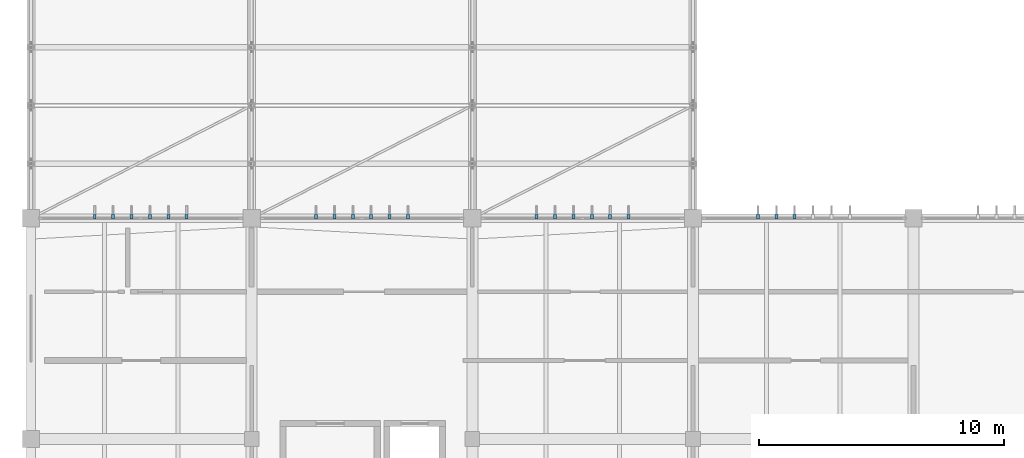
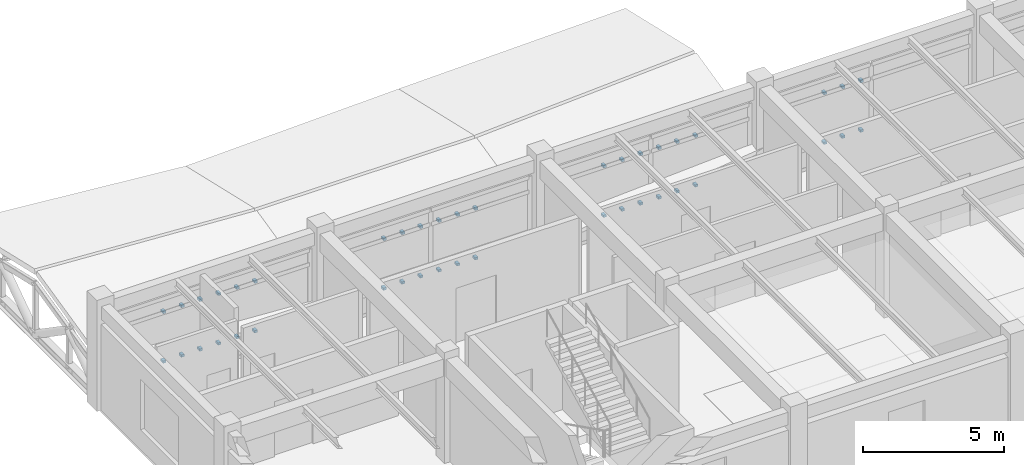
# One storey, part 53 of 61: 42 discrete accessories.
"""IFC4 building model written with IfcOpenShell, lengths in metres."""

import ifcopenshell
import ifcopenshell.guid

model = None  # the IFC model being written
_history = None  # IfcOwnerHistory: only IFC2X3 demands one
_inside = {}  # id of a spatial element -> (the spatial element, [elements in it])
_under = {}  # id of a project, library or spatial element -> (it, [spatial elements below it])
_declared = {}  # id of a project -> (the project, [libraries it declares])
_typed = {}  # id of a type object -> (the type object, [elements of that type])
_made_of = {}  # id of a material, layer set ... -> (it, [elements and type objects made of it])


def new_model(schema):
    """Start an empty IFC model of exactly this schema.

    Asked for "IFC4X3", IfcOpenShell would pick the latest addendum, in which some entities
    have other attributes; the version numbers below select the first issue.
    IFC2X3 requires an IfcOwnerHistory on every rooted entity: one is made here for all.
    """
    global model, _history
    if schema == "IFC4X3":
        model = ifcopenshell.file(schema_version=(4, 3, 0, 0))
    else:
        model = ifcopenshell.file(schema=schema)
    _inside.clear()
    _under.clear()
    _declared.clear()
    _typed.clear()
    _made_of.clear()
    _history = None
    if model.schema == "IFC2X3":
        org = make("IfcOrganization", Name="unknown")
        user = make(
            "IfcPersonAndOrganization",
            ThePerson=make("IfcPerson", FamilyName="unknown"),
            TheOrganization=org,
        )
        app = make(
            "IfcApplication",
            ApplicationDeveloper=org,
            Version="unknown",
            ApplicationFullName="unknown",
            ApplicationIdentifier="unknown",
        )
        _history = make(
            "IfcOwnerHistory",
            OwningUser=user,
            OwningApplication=app,
            ChangeAction="ADDED",
            CreationDate=0,
        )
    return model


def make(cls, **values):
    """One entity of the class cls with the attributes given. An attribute that is None is left unset."""
    return model.create_entity(
        cls, **{name: value for name, value in values.items() if value is not None}
    )


def rooted(cls, **values):
    """An entity with a GlobalId (a new one), such as an element, a storey or a relation."""
    return make(cls, GlobalId=ifcopenshell.guid.new(), OwnerHistory=_history, **values)


def si_unit(unit_type, name, prefix=None):
    """IfcSIUnit, for example si_unit("LENGTHUNIT", "METRE", prefix="MILLI")."""
    return make("IfcSIUnit", UnitType=unit_type, Prefix=prefix, Name=name)


def assignment(units):
    """IfcUnitAssignment: the units of a project."""
    return None if units is None else make("IfcUnitAssignment", Units=units)


def point(xyz):
    """IfcCartesianPoint."""
    return None if xyz is None else make("IfcCartesianPoint", Coordinates=xyz)


def direction(xyz):
    """IfcDirection."""
    return None if xyz is None else make("IfcDirection", DirectionRatios=xyz)


def frame(location, z_axis=None, x_axis=None):
    """IfcAxis2Placement3D, a coordinate frame: its origin and axes. An axis left out is left unset."""
    return make(
        "IfcAxis2Placement3D",
        Location=point(location),
        Axis=direction(z_axis),
        RefDirection=direction(x_axis),
    )


def frame_2d(location, x_axis=None):
    """IfcAxis2Placement2D, a coordinate frame in the plane: its origin and x axis."""
    return make(
        "IfcAxis2Placement2D", Location=point(location), RefDirection=direction(x_axis)
    )


def origin():
    """The frame at (0, 0, 0) with its axes left unset."""
    return frame((0.0, 0.0, 0.0))


def origin_2d():
    """The frame at (0, 0) in the plane with its x axis left unset."""
    return frame_2d((0.0, 0.0))


def place(relative_to, where):
    """IfcLocalPlacement: puts the frame where relative to a parent placement (None: the world)."""
    return make(
        "IfcLocalPlacement", PlacementRelTo=relative_to, RelativePlacement=where
    )


def context(
    kind, dimensions, precision=None, world=None, true_north=None, identifier=None
):
    """IfcGeometricRepresentationContext, for example the 3D "Model" context."""
    return make(
        "IfcGeometricRepresentationContext",
        ContextIdentifier=identifier,
        ContextType=kind,
        CoordinateSpaceDimension=dimensions,
        Precision=precision,
        WorldCoordinateSystem=world,
        TrueNorth=true_north,
    )


def subcontext(parent, identifier, kind, view, scale=None):
    """IfcGeometricRepresentationSubContext, for example "Body" below "Model"."""
    return make(
        "IfcGeometricRepresentationSubContext",
        ContextIdentifier=identifier,
        ContextType=kind,
        ParentContext=parent,
        TargetScale=scale,
        TargetView=view,
    )


def project(units=None, contexts=None):
    """IfcProject with its units and contexts."""
    return rooted(
        "IfcProject",
        Name="project",
        RepresentationContexts=contexts,
        UnitsInContext=assignment(units),
    )


def spatial(cls, under=None, at=None, **own):
    """A site, building, storey or space (cls), placed at a placement, below another one or the project."""
    s = rooted(cls, ObjectPlacement=at, **own)
    if under is not None:
        _under.setdefault(under.id(), (under, []))[1].append(s)
    return s


def profile(cls, at=None, kind="AREA", **sizes):
    """A parametric profile (cls). Its sizes go by their IFC names, for example OverallWidth=200.0."""
    return make(cls, ProfileType=kind, Position=at, **sizes)


def rectangle(**sizes):
    """IfcRectangleProfileDef."""
    return profile("IfcRectangleProfileDef", **sizes)


def extrude(swept, where, along, depth):
    """IfcExtrudedAreaSolid: the profile swept, set in the frame where, extruded along a direction by depth."""
    return make(
        "IfcExtrudedAreaSolid",
        SweptArea=swept,
        Position=where,
        ExtrudedDirection=direction(along),
        Depth=depth,
    )


def shape(context_of_items, identifier, shape_type, items):
    """IfcShapeRepresentation: the items that make up one representation, for example the "Body"."""
    return make(
        "IfcShapeRepresentation",
        ContextOfItems=context_of_items,
        RepresentationIdentifier=identifier,
        RepresentationType=shape_type,
        Items=items,
    )


def material(Name=None, Category=None):
    """IfcMaterial."""
    return make("IfcMaterial", Name=Name, Category=Category)


def made_of(thing, what):
    """Note that an element or type object is made of a material, layer set ...; save() writes the relation."""
    if what is not None:
        _made_of.setdefault(what.id(), (what, []))[1].append(thing)
    return thing


def type_object(cls, material=None, **own):
    """A type object (cls), such as IfcWallType, which elements share."""
    return made_of(rooted(cls, **own), material)


def element(
    cls,
    number,
    at=None,
    inside=None,
    cuts=None,
    type_object=None,
    material=None,
    context=None,
    identifier="Body",
    shape_type=None,
    held_by="IfcProductDefinitionShape",
    body=None,
    shapes=None,
    **own,
):
    """One element of the class cls, such as IfcWall. Its Tag is "e" and its number.

    at: its placement. inside: the storey or other place that contains it. cuts: it is an
    opening in that element (IfcRelVoidsElement). A single representation is given by context,
    identifier, shape_type and body (its items); several are given by shapes. held_by: the class
    of the entity that holds the representations. save() writes the other relations.
    """
    e = rooted(cls, Tag="e%d" % number, ObjectPlacement=at, **own)
    if body is not None:
        shapes = [shape(context, identifier, shape_type, body)]
    if shapes is not None:
        e.Representation = make(held_by, Representations=shapes)
    if inside is not None:
        _inside.setdefault(inside.id(), (inside, []))[1].append(e)
    if cuts is not None:
        rooted(
            "IfcRelVoidsElement", RelatingBuildingElement=cuts, RelatedOpeningElement=e
        )
    if type_object is not None:
        _typed.setdefault(type_object.id(), (type_object, []))[1].append(e)
    return made_of(e, material)


def aggregate(whole, parts):
    """IfcRelAggregates: a whole, such as a stair, and the parts it consists of."""
    return rooted("IfcRelAggregates", RelatingObject=whole, RelatedObjects=parts)


def save(model, path):
    """Write the relations noted so far, then the file.

    IfcRelAggregates (storeys below a building ...), IfcRelContainedInSpatialStructure (elements
    in a storey), IfcRelDefinesByType, IfcRelAssociatesMaterial and IfcRelDeclares: one each for
    every whole, place, type object, material and project.
    """
    for whole, parts in _under.values():
        aggregate(whole, parts)
    for where, things in _inside.values():
        rooted(
            "IfcRelContainedInSpatialStructure",
            RelatedElements=things,
            RelatingStructure=where,
        )
    for kind, things in _typed.values():
        rooted("IfcRelDefinesByType", RelatedObjects=things, RelatingType=kind)
    for what, things in _made_of.values():
        rooted("IfcRelAssociatesMaterial", RelatedObjects=things, RelatingMaterial=what)
    for by, libraries in _declared.values():
        rooted("IfcRelDeclares", RelatingContext=by, RelatedDefinitions=libraries)
    model.write(path)


model = new_model("IFC4")

# Units and contexts
model_context = context("Model", 3, precision=1e-05, world=origin(), true_north=direction((0.0, 1.0)))
body_context = subcontext(model_context, "Body", "Model", "MODEL_VIEW")
ifc_project = project(units=[si_unit("LENGTHUNIT", "METRE"), si_unit("AREAUNIT", "SQUARE_METRE"), si_unit("VOLUMEUNIT", "CUBIC_METRE"), si_unit("PLANEANGLEUNIT", "RADIAN"), si_unit("MASSUNIT", "GRAM", prefix="KILO")], contexts=[model_context])

# Site, building, storey
site_placement = place(None, origin())
site = spatial("IfcSite", under=ifc_project, at=site_placement, CompositionType="ELEMENT")
building_placement = place(site_placement, origin())
building = spatial("IfcBuilding", under=site, at=building_placement, Name="Bozkorgan Art Gallery", CompositionType="ELEMENT")
storey_placement = place(building_placement, frame((0.0, 0.0, 10.199951171875)))
storey = spatial("IfcBuildingStorey", under=building, at=storey_placement, Name="L02", CompositionType="ELEMENT", Elevation=10.199951171875)

# Discrete accessories
ifc_material = material(Name="Steel S355J2", Category="steel")
discrete_accessory_type = type_object("IfcDiscreteAccessoryType", Name="ACC-BRK-01", PredefinedType="BRACKET", material=ifc_material)
for number, where, z_axis, x_axis, name in (
    (1, (4.60009765625, 20.06005859375, 0.8701171875), (0.0, 0.0, 1.0), (0.0, 1.0, 0.0), "CW-V1-L02-1N-02 solar fin bracket 1B"),
    (2, (4.60009765625, 20.06005859375, 3.014892578125), (0.0, 0.0, 1.0), (0.0, 1.0, 0.0), "CW-V1-L02-1N-02 solar fin bracket 1T"),
    (3, (5.35009765625, 20.06005859375, 0.8701171875), (0.0, 0.0, 1.0), (0.0, 1.0, 0.0), "CW-V1-L02-1N-02 solar fin bracket 2B"),
    (4, (5.35009765625, 20.06005859375, 3.014892578125), (0.0, 0.0, 1.0), (0.0, 1.0, 0.0), "CW-V1-L02-1N-02 solar fin bracket 2T"),
    (5, (6.10009765625, 20.06005859375, 0.8701171875), (0.0, 0.0, 1.0), (0.0, 1.0, 0.0), "CW-V1-L02-1N-02 solar fin bracket 3B"),
    (6, (6.10009765625, 20.06005859375, 3.014892578125), (0.0, 0.0, 1.0), (0.0, 1.0, 0.0), "CW-V1-L02-1N-02 solar fin bracket 3T"),
    (7, (6.85009765625, 20.06005859375, 0.8701171875), (0.0, 0.0, 1.0), (0.0, 1.0, 0.0), "CW-V1-L02-1N-02 solar fin bracket 4B"),
    (8, (6.85009765625, 20.06005859375, 3.014892578125), (0.0, 0.0, 1.0), (0.0, 1.0, 0.0), "CW-V1-L02-1N-02 solar fin bracket 4T"),
    (9, (7.60009765625, 20.06005859375, 0.8701171875), (0.0, 0.0, 1.0), (0.0, 1.0, 0.0), "CW-V1-L02-1N-02 solar fin bracket 5B"),
    (10, (7.60009765625, 20.06005859375, 3.014892578125), (0.0, 0.0, 1.0), (0.0, 1.0, 0.0), "CW-V1-L02-1N-02 solar fin bracket 5T"),
    (11, (8.35009765625, 20.06005859375, 0.8701171875), (0.0, 0.0, 1.0), (0.0, 1.0, 0.0), "CW-V1-L02-1N-02 solar fin bracket 6B"),
    (12, (8.35009765625, 20.06005859375, 3.014892578125), (0.0, 0.0, 1.0), (0.0, 1.0, 0.0), "CW-V1-L02-1N-02 solar fin bracket 6T"),
    (13, (13.625, 20.06005859375, 0.8701171875), (0.0, 0.0, 1.0), (0.0, 1.0, 0.0), "CW-V1-L02-1N-04 solar fin bracket 1B"),
    (14, (13.625, 20.06005859375, 3.014892578125), (0.0, 0.0, 1.0), (0.0, 1.0, 0.0), "CW-V1-L02-1N-04 solar fin bracket 1T"),
    (15, (14.375, 20.06005859375, 0.8701171875), (0.0, 0.0, 1.0), (0.0, 1.0, 0.0), "CW-V1-L02-1N-04 solar fin bracket 2B"),
    (16, (14.375, 20.06005859375, 3.014892578125), (0.0, 0.0, 1.0), (0.0, 1.0, 0.0), "CW-V1-L02-1N-04 solar fin bracket 2T"),
    (17, (15.125, 20.06005859375, 0.8701171875), (0.0, 0.0, 1.0), (0.0, 1.0, 0.0), "CW-V1-L02-1N-04 solar fin bracket 3B"),
    (18, (15.125, 20.06005859375, 3.014892578125), (0.0, 0.0, 1.0), (0.0, 1.0, 0.0), "CW-V1-L02-1N-04 solar fin bracket 3T"),
    (19, (15.875, 20.06005859375, 0.8701171875), (0.0, 0.0, 1.0), (0.0, 1.0, 0.0), "CW-V1-L02-1N-04 solar fin bracket 4B"),
    (20, (15.875, 20.06005859375, 3.014892578125), (0.0, 0.0, 1.0), (0.0, 1.0, 0.0), "CW-V1-L02-1N-04 solar fin bracket 4T"),
    (21, (16.625, 20.06005859375, 0.8701171875), (0.0, 0.0, 1.0), (0.0, 1.0, 0.0), "CW-V1-L02-1N-04 solar fin bracket 5B"),
    (22, (16.625, 20.06005859375, 3.014892578125), (0.0, 0.0, 1.0), (0.0, 1.0, 0.0), "CW-V1-L02-1N-04 solar fin bracket 5T"),
    (23, (17.375, 20.06005859375, 0.8701171875), (0.0, 0.0, 1.0), (0.0, 1.0, 0.0), "CW-V1-L02-1N-04 solar fin bracket 6B"),
    (24, (17.375, 20.06005859375, 3.014892578125), (0.0, 0.0, 1.0), (0.0, 1.0, 0.0), "CW-V1-L02-1N-04 solar fin bracket 6T"),
    (25, (22.625, 20.06005859375, 0.8701171875), (0.0, 0.0, 1.0), (0.0, 1.0, 0.0), "CW-V1-L02-1N-06 solar fin bracket 1B"),
    (26, (22.625, 20.06005859375, 3.014892578125), (0.0, 0.0, 1.0), (0.0, 1.0, 0.0), "CW-V1-L02-1N-06 solar fin bracket 1T"),
    (27, (23.375, 20.06005859375, 0.8701171875), (0.0, 0.0, 1.0), (0.0, 1.0, 0.0), "CW-V1-L02-1N-06 solar fin bracket 2B"),
    (28, (23.375, 20.06005859375, 3.014892578125), (0.0, 0.0, 1.0), (0.0, 1.0, 0.0), "CW-V1-L02-1N-06 solar fin bracket 2T"),
    (29, (24.125, 20.06005859375, 0.8701171875), (0.0, 0.0, 1.0), (0.0, 1.0, 0.0), "CW-V1-L02-1N-06 solar fin bracket 3B"),
    (30, (24.125, 20.06005859375, 3.014892578125), (0.0, 0.0, 1.0), (0.0, 1.0, 0.0), "CW-V1-L02-1N-06 solar fin bracket 3T"),
    (31, (24.875, 20.06005859375, 0.8701171875), (0.0, 0.0, 1.0), (0.0, 1.0, 0.0), "CW-V1-L02-1N-06 solar fin bracket 4B"),
    (32, (24.875, 20.06005859375, 3.014892578125), (0.0, 0.0, 1.0), (0.0, 1.0, 0.0), "CW-V1-L02-1N-06 solar fin bracket 4T"),
    (33, (25.625, 20.06005859375, 0.8701171875), (0.0, 0.0, 1.0), (0.0, 1.0, 0.0), "CW-V1-L02-1N-06 solar fin bracket 5B"),
    (34, (25.625, 20.06005859375, 3.014892578125), (0.0, 0.0, 1.0), (0.0, 1.0, 0.0), "CW-V1-L02-1N-06 solar fin bracket 5T"),
    (35, (26.375, 20.06005859375, 0.8701171875), (0.0, 0.0, 1.0), (0.0, 1.0, 0.0), "CW-V1-L02-1N-06 solar fin bracket 6B"),
    (36, (26.375, 20.06005859375, 3.014892578125), (0.0, 0.0, 1.0), (0.0, 1.0, 0.0), "CW-V1-L02-1N-06 solar fin bracket 6T"),
    (37, (31.64990234375, 20.06005859375, 0.8701171875), (0.0, 0.0, 1.0), (0.0, 1.0, 0.0), "CW-V1-L02-1N-08 solar fin bracket 1B"),
    (38, (31.64990234375, 20.06005859375, 3.014892578125), (0.0, 0.0, 1.0), (0.0, 1.0, 0.0), "CW-V1-L02-1N-08 solar fin bracket 1T"),
    (39, (32.39990234375, 20.06005859375, 0.8701171875), (0.0, 0.0, 1.0), (0.0, 1.0, 0.0), "CW-V1-L02-1N-08 solar fin bracket 2B"),
    (40, (32.39990234375, 20.06005859375, 3.014892578125), (0.0, 0.0, 1.0), (0.0, 1.0, 0.0), "CW-V1-L02-1N-08 solar fin bracket 2T"),
    (41, (33.14990234375, 20.06005859375, 0.8701171875), (0.0, 0.0, 1.0), (0.0, 1.0, 0.0), "CW-V1-L02-1N-08 solar fin bracket 3B"),
    (42, (33.14990234375, 20.06005859375, 3.014892578125), (0.0, 0.0, 1.0), (0.0, 1.0, 0.0), "CW-V1-L02-1N-08 solar fin bracket 3T"),
):
    element("IfcDiscreteAccessory", number, at=place(storey_placement, frame(where, z_axis=z_axis, x_axis=x_axis)), inside=storey, type_object=discrete_accessory_type, Name=name, PredefinedType="BRACKET", context=body_context, shape_type="SweptSolid", body=[
        extrude(rectangle(XDim=0.179931640625, YDim=0.1201171875, at=origin_2d()), origin(), (0.0, 0.0, 1.0), 0.10009765625),
    ])

save(model, "model.ifc")
